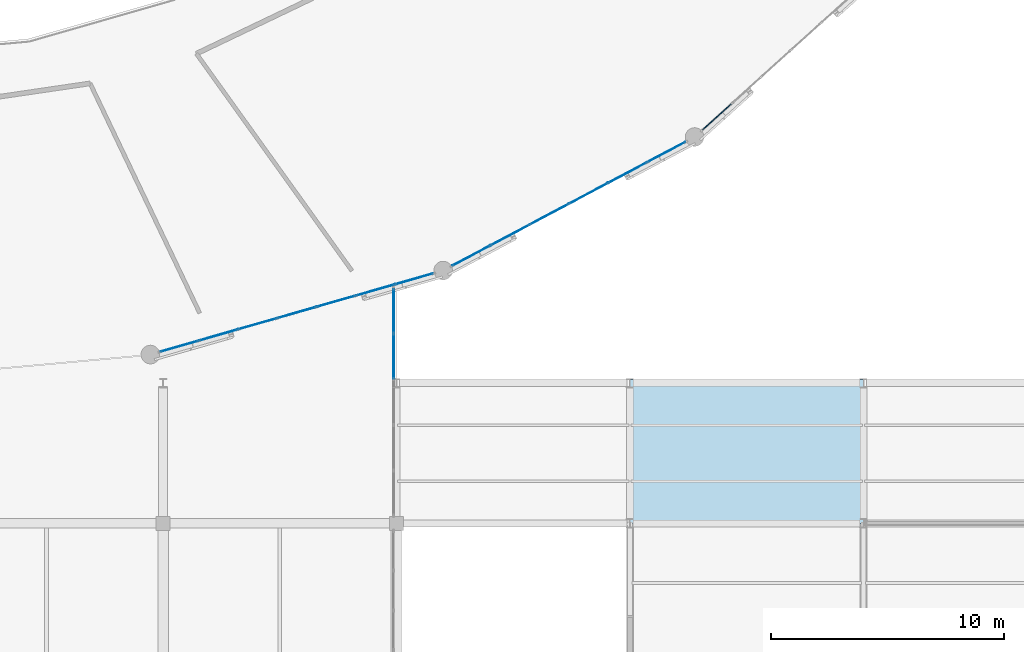
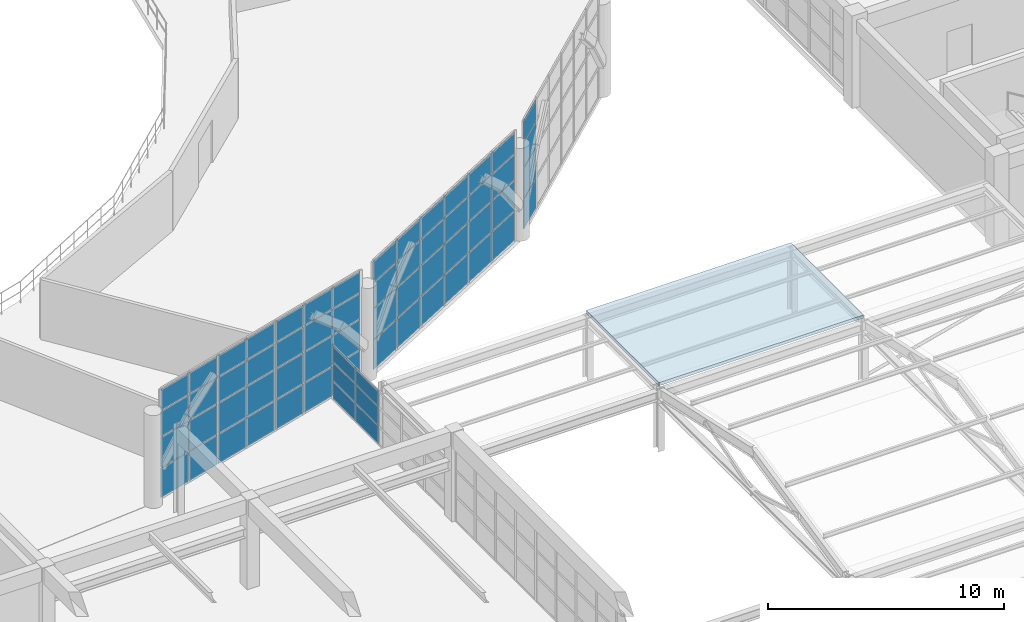
# One storey, part 65 of 109: 62 plates, 1 slab, 5 elements without a shape of their own.
"""IFC4 building model written with IfcOpenShell, lengths in metres."""

from ifc_helpers import new_model, si_unit, direction, frame, origin, origin_2d, place, context, subcontext, project, spatial, polyline, rectangle, outline, extrude, material, layer, layer_set, type_object, element, aggregate, save


model = new_model("IFC4")

# Units and contexts
model_context = context("Model", 3, precision=1e-05, world=origin(), true_north=direction((0.0, 1.0)))
body_context = subcontext(model_context, "Body", "Model", "MODEL_VIEW")
ifc_project = project(units=[si_unit("LENGTHUNIT", "METRE"), si_unit("AREAUNIT", "SQUARE_METRE"), si_unit("VOLUMEUNIT", "CUBIC_METRE"), si_unit("PLANEANGLEUNIT", "RADIAN"), si_unit("MASSUNIT", "GRAM", prefix="KILO")], contexts=[model_context])

# Site, building, storey
site_placement = place(None, origin())
site = spatial("IfcSite", under=ifc_project, at=site_placement, CompositionType="ELEMENT")
building_placement = place(site_placement, origin())
building = spatial("IfcBuilding", under=site, at=building_placement, Name="Kivolera Central Railway Station", CompositionType="ELEMENT")
storey_placement = place(building_placement, frame((0.0, 0.0, 9.60009765625)))
storey = spatial("IfcBuildingStorey", under=building, at=storey_placement, Name="L02", CompositionType="ELEMENT", Elevation=9.60009765625)

# Curtain wall, plates
ifc_material_1 = material(Name="Anodised aluminium", Category="aluminium")
ifc_layer_1 = layer(ifc_material_1, 0.179931640625, Name="Anodised aluminium")
ifc_layer_set_1 = layer_set([ifc_layer_1], Name="Anodised aluminium")
curtain_wall_type_1 = type_object("IfcCurtainWallType", Name="CW-SYS-11", PredefinedType="NOTDEFINED", material=ifc_layer_set_1)
curtain_wall_1_placement = place(storey_placement, origin())
curtain_wall_1 = element("IfcCurtainWall", 1, at=curtain_wall_1_placement, inside=storey, type_object=curtain_wall_type_1, Name="L02 Curtain Wall CW-L02-OVL-19", PredefinedType="NOTDEFINED")
ifc_material_2 = material(Name="Double low-E laminated glass", Category="glass")
ifc_layer_2 = layer(ifc_material_2, 0.030029296875, Name="Double low-E laminated glass")
ifc_layer_set_2 = layer_set([ifc_layer_2], Name="Double low-E laminated glass")
plate_type_1 = type_object("IfcPlateType", Name="CWP-GLZ-2", PredefinedType="CURTAIN_PANEL", material=ifc_layer_set_2)
plate_1_placement = place(storey_placement, frame((88.75732421875, 58.467041015625, 0.057861328125), z_axis=(0.0, 0.0, 1.0), x_axis=(-0.961246112288, -0.275691696668, 0.0)))
plate_1 = element("IfcPlate", 2, at=plate_1_placement, type_object=plate_type_1, Name="CW-11 panel 1.1", PredefinedType="CURTAIN_PANEL", context=body_context, shape_type="SweptSolid", body=[
    extrude(rectangle(XDim=1.66845703125, YDim=0.030029296875, at=origin_2d()), origin(), (0.0, 0.0, 1.0), 1.51904296875),
])
plate_2_placement = place(storey_placement, frame((88.75732421875, 58.467041015625, 1.623046875), z_axis=(0.0, 0.0, 1.0), x_axis=(-0.961246112288, -0.275691696668, 0.0)))
plate_2 = element("IfcPlate", 3, at=plate_2_placement, type_object=plate_type_1, Name="CW-11 panel 1.2", PredefinedType="CURTAIN_PANEL", context=body_context, shape_type="SweptSolid", body=[
    extrude(rectangle(XDim=1.66845703125, YDim=0.030029296875, at=origin_2d()), origin(), (0.0, 0.0, 1.0), 1.553955078125),
])
plate_3_placement = place(storey_placement, frame((88.75732421875, 58.467041015625, 3.22314453125), z_axis=(0.0, 0.0, 1.0), x_axis=(-0.961246112288, -0.275691696668, 0.0)))
plate_3 = element("IfcPlate", 4, at=plate_3_placement, type_object=plate_type_1, Name="CW-11 panel 1.3", PredefinedType="CURTAIN_PANEL", context=body_context, shape_type="SweptSolid", body=[
    extrude(rectangle(XDim=1.66845703125, YDim=0.030029296875, at=origin_2d()), origin(), (0.0, 0.0, 1.0), 1.303955078125),
])
plate_4_placement = place(storey_placement, frame((88.75732421875, 58.467041015625, 4.57275390625), z_axis=(0.0, 0.0, 1.0), x_axis=(-0.961246112288, -0.275691696668, 0.0)))
plate_4 = element("IfcPlate", 5, at=plate_4_placement, type_object=plate_type_1, Name="CW-11 panel 1.4", PredefinedType="CURTAIN_PANEL", context=body_context, shape_type="SweptSolid", body=[
    extrude(rectangle(XDim=1.66845703125, YDim=0.030029296875, at=origin_2d()), origin(), (0.0, 0.0, 1.0), 1.069091796875),
])
plate_5_placement = place(storey_placement, frame((87.092529296875, 57.989501953125, 0.057861328125), z_axis=(0.0, 0.0, 1.0), x_axis=(-0.961246112288, -0.275691696668, 0.0)))
plate_5 = element("IfcPlate", 6, at=plate_5_placement, type_object=plate_type_1, Name="CW-11 panel 2.1", PredefinedType="CURTAIN_PANEL", context=body_context, shape_type="SweptSolid", body=[
    extrude(rectangle(XDim=1.703369140625, YDim=0.030029296875, at=origin_2d()), origin(), (0.0, 0.0, 1.0), 1.51904296875),
])
plate_6_placement = place(storey_placement, frame((87.092529296875, 57.989501953125, 1.623046875), z_axis=(0.0, 0.0, 1.0), x_axis=(-0.961246112288, -0.275691696668, 0.0)))
plate_6 = element("IfcPlate", 7, at=plate_6_placement, type_object=plate_type_1, Name="CW-11 panel 2.2", PredefinedType="CURTAIN_PANEL", context=body_context, shape_type="SweptSolid", body=[
    extrude(rectangle(XDim=1.703369140625, YDim=0.030029296875, at=origin_2d()), origin(), (0.0, 0.0, 1.0), 1.553955078125),
])
plate_7_placement = place(storey_placement, frame((87.092529296875, 57.989501953125, 3.22314453125), z_axis=(0.0, 0.0, 1.0), x_axis=(-0.961246112288, -0.275691696668, 0.0)))
plate_7 = element("IfcPlate", 8, at=plate_7_placement, type_object=plate_type_1, Name="CW-11 panel 2.3", PredefinedType="CURTAIN_PANEL", context=body_context, shape_type="SweptSolid", body=[
    extrude(rectangle(XDim=1.703369140625, YDim=0.030029296875, at=origin_2d()), origin(), (0.0, 0.0, 1.0), 1.303955078125),
])
plate_8_placement = place(storey_placement, frame((87.092529296875, 57.989501953125, 4.57275390625), z_axis=(0.0, 0.0, 1.0), x_axis=(-0.961246112288, -0.275691696668, 0.0)))
plate_8 = element("IfcPlate", 9, at=plate_8_placement, type_object=plate_type_1, Name="CW-11 panel 2.4", PredefinedType="CURTAIN_PANEL", context=body_context, shape_type="SweptSolid", body=[
    extrude(rectangle(XDim=1.703369140625, YDim=0.030029296875, at=origin_2d()), origin(), (0.0, 0.0, 1.0), 1.069091796875),
])
plate_9_placement = place(storey_placement, frame((85.4111328125, 57.50732421875, 0.057861328125), z_axis=(0.0, 0.0, 1.0), x_axis=(-0.961246112288, -0.275691696668, 0.0)))
plate_9 = element("IfcPlate", 10, at=plate_9_placement, type_object=plate_type_1, Name="CW-11 panel 3.1", PredefinedType="CURTAIN_PANEL", context=body_context, shape_type="SweptSolid", body=[
    extrude(rectangle(XDim=1.703369140625, YDim=0.030029296875, at=origin_2d()), origin(), (0.0, 0.0, 1.0), 1.51904296875),
])
plate_10_placement = place(storey_placement, frame((85.4111328125, 57.50732421875, 1.623046875), z_axis=(0.0, 0.0, 1.0), x_axis=(-0.961246112288, -0.275691696668, 0.0)))
plate_10 = element("IfcPlate", 11, at=plate_10_placement, type_object=plate_type_1, Name="CW-11 panel 3.2", PredefinedType="CURTAIN_PANEL", context=body_context, shape_type="SweptSolid", body=[
    extrude(rectangle(XDim=1.703369140625, YDim=0.030029296875, at=origin_2d()), origin(), (0.0, 0.0, 1.0), 1.553955078125),
])
plate_11_placement = place(storey_placement, frame((85.4111328125, 57.50732421875, 3.22314453125), z_axis=(0.0, 0.0, 1.0), x_axis=(-0.961246112288, -0.275691696668, 0.0)))
plate_11 = element("IfcPlate", 12, at=plate_11_placement, type_object=plate_type_1, Name="CW-11 panel 3.3", PredefinedType="CURTAIN_PANEL", context=body_context, shape_type="SweptSolid", body=[
    extrude(rectangle(XDim=1.703369140625, YDim=0.030029296875, at=origin_2d()), origin(), (0.0, 0.0, 1.0), 1.303955078125),
])
plate_12_placement = place(storey_placement, frame((85.4111328125, 57.50732421875, 4.57275390625), z_axis=(0.0, 0.0, 1.0), x_axis=(-0.961246112288, -0.275691696668, 0.0)))
plate_12 = element("IfcPlate", 13, at=plate_12_placement, type_object=plate_type_1, Name="CW-11 panel 3.4", PredefinedType="CURTAIN_PANEL", context=body_context, shape_type="SweptSolid", body=[
    extrude(rectangle(XDim=1.703369140625, YDim=0.030029296875, at=origin_2d()), origin(), (0.0, 0.0, 1.0), 1.069091796875),
])
plate_13_placement = place(storey_placement, frame((83.7294921875, 57.02490234375, 0.057861328125), z_axis=(0.0, 0.0, 1.0), x_axis=(-0.961246112288, -0.275691696668, 0.0)))
plate_13 = element("IfcPlate", 14, at=plate_13_placement, type_object=plate_type_1, Name="CW-11 panel 4.1", PredefinedType="CURTAIN_PANEL", context=body_context, shape_type="SweptSolid", body=[
    extrude(rectangle(XDim=1.703369140625, YDim=0.030029296875, at=origin_2d()), origin(), (0.0, 0.0, 1.0), 1.51904296875),
])
plate_14_placement = place(storey_placement, frame((83.7294921875, 57.02490234375, 1.623046875), z_axis=(0.0, 0.0, 1.0), x_axis=(-0.961246112288, -0.275691696668, 0.0)))
plate_14 = element("IfcPlate", 15, at=plate_14_placement, type_object=plate_type_1, Name="CW-11 panel 4.2", PredefinedType="CURTAIN_PANEL", context=body_context, shape_type="SweptSolid", body=[
    extrude(rectangle(XDim=1.703369140625, YDim=0.030029296875, at=origin_2d()), origin(), (0.0, 0.0, 1.0), 1.553955078125),
])
plate_15_placement = place(storey_placement, frame((83.7294921875, 57.02490234375, 3.22314453125), z_axis=(0.0, 0.0, 1.0), x_axis=(-0.961246112288, -0.275691696668, 0.0)))
plate_15 = element("IfcPlate", 16, at=plate_15_placement, type_object=plate_type_1, Name="CW-11 panel 4.3", PredefinedType="CURTAIN_PANEL", context=body_context, shape_type="SweptSolid", body=[
    extrude(rectangle(XDim=1.703369140625, YDim=0.030029296875, at=origin_2d()), origin(), (0.0, 0.0, 1.0), 1.303955078125),
])
plate_16_placement = place(storey_placement, frame((83.7294921875, 57.02490234375, 4.57275390625), z_axis=(0.0, 0.0, 1.0), x_axis=(-0.961246112288, -0.275691696668, 0.0)))
plate_16 = element("IfcPlate", 17, at=plate_16_placement, type_object=plate_type_1, Name="CW-11 panel 4.4", PredefinedType="CURTAIN_PANEL", context=body_context, shape_type="SweptSolid", body=[
    extrude(rectangle(XDim=1.703369140625, YDim=0.030029296875, at=origin_2d()), origin(), (0.0, 0.0, 1.0), 1.069091796875),
])
plate_17_placement = place(storey_placement, frame((82.0478515625, 56.542724609375, 0.057861328125), z_axis=(0.0, 0.0, 1.0), x_axis=(-0.961246112288, -0.275691696668, 0.0)))
plate_17 = element("IfcPlate", 18, at=plate_17_placement, type_object=plate_type_1, Name="CW-11 panel 5.1", PredefinedType="CURTAIN_PANEL", context=body_context, shape_type="SweptSolid", body=[
    extrude(rectangle(XDim=1.703369140625, YDim=0.030029296875, at=origin_2d()), origin(), (0.0, 0.0, 1.0), 1.51904296875),
])
plate_18_placement = place(storey_placement, frame((82.0478515625, 56.542724609375, 1.623046875), z_axis=(0.0, 0.0, 1.0), x_axis=(-0.961246112288, -0.275691696668, 0.0)))
plate_18 = element("IfcPlate", 19, at=plate_18_placement, type_object=plate_type_1, Name="CW-11 panel 5.2", PredefinedType="CURTAIN_PANEL", context=body_context, shape_type="SweptSolid", body=[
    extrude(rectangle(XDim=1.703369140625, YDim=0.030029296875, at=origin_2d()), origin(), (0.0, 0.0, 1.0), 1.553955078125),
])
plate_19_placement = place(storey_placement, frame((82.0478515625, 56.542724609375, 3.22314453125), z_axis=(0.0, 0.0, 1.0), x_axis=(-0.961246112288, -0.275691696668, 0.0)))
plate_19 = element("IfcPlate", 20, at=plate_19_placement, type_object=plate_type_1, Name="CW-11 panel 5.3", PredefinedType="CURTAIN_PANEL", context=body_context, shape_type="SweptSolid", body=[
    extrude(rectangle(XDim=1.703369140625, YDim=0.030029296875, at=origin_2d()), origin(), (0.0, 0.0, 1.0), 1.303955078125),
])
plate_20_placement = place(storey_placement, frame((82.0478515625, 56.542724609375, 4.57275390625), z_axis=(0.0, 0.0, 1.0), x_axis=(-0.961246112288, -0.275691696668, 0.0)))
plate_20 = element("IfcPlate", 21, at=plate_20_placement, type_object=plate_type_1, Name="CW-11 panel 5.4", PredefinedType="CURTAIN_PANEL", context=body_context, shape_type="SweptSolid", body=[
    extrude(rectangle(XDim=1.703369140625, YDim=0.030029296875, at=origin_2d()), origin(), (0.0, 0.0, 1.0), 1.069091796875),
])
plate_21_placement = place(storey_placement, frame((80.366455078125, 56.060546875, 0.057861328125), z_axis=(0.0, 0.0, 1.0), x_axis=(-0.961246112288, -0.275691696668, 0.0)))
plate_21 = element("IfcPlate", 22, at=plate_21_placement, type_object=plate_type_1, Name="CW-11 panel 6.1", PredefinedType="CURTAIN_PANEL", context=body_context, shape_type="SweptSolid", body=[
    extrude(rectangle(XDim=1.703369140625, YDim=0.030029296875, at=origin_2d()), origin(), (0.0, 0.0, 1.0), 1.51904296875),
])
plate_22_placement = place(storey_placement, frame((80.366455078125, 56.060546875, 1.623046875), z_axis=(0.0, 0.0, 1.0), x_axis=(-0.961246112288, -0.275691696668, 0.0)))
plate_22 = element("IfcPlate", 23, at=plate_22_placement, type_object=plate_type_1, Name="CW-11 panel 6.2", PredefinedType="CURTAIN_PANEL", context=body_context, shape_type="SweptSolid", body=[
    extrude(rectangle(XDim=1.703369140625, YDim=0.030029296875, at=origin_2d()), origin(), (0.0, 0.0, 1.0), 1.553955078125),
])
plate_23_placement = place(storey_placement, frame((80.366455078125, 56.060546875, 3.22314453125), z_axis=(0.0, 0.0, 1.0), x_axis=(-0.961246112288, -0.275691696668, 0.0)))
plate_23 = element("IfcPlate", 24, at=plate_23_placement, type_object=plate_type_1, Name="CW-11 panel 6.3", PredefinedType="CURTAIN_PANEL", context=body_context, shape_type="SweptSolid", body=[
    extrude(rectangle(XDim=1.703369140625, YDim=0.030029296875, at=origin_2d()), origin(), (0.0, 0.0, 1.0), 1.303955078125),
])
plate_24_placement = place(storey_placement, frame((80.366455078125, 56.060546875, 4.57275390625), z_axis=(0.0, 0.0, 1.0), x_axis=(-0.961246112288, -0.275691696668, 0.0)))
plate_24 = element("IfcPlate", 25, at=plate_24_placement, type_object=plate_type_1, Name="CW-11 panel 6.4", PredefinedType="CURTAIN_PANEL", context=body_context, shape_type="SweptSolid", body=[
    extrude(rectangle(XDim=1.703369140625, YDim=0.030029296875, at=origin_2d()), origin(), (0.0, 0.0, 1.0), 1.069091796875),
])
plate_25_placement = place(storey_placement, frame((78.70166015625, 55.5830078125, 0.057861328125), z_axis=(0.0, 0.0, 1.0), x_axis=(-0.961246112288, -0.275691696668, 0.0)))
plate_25 = element("IfcPlate", 26, at=plate_25_placement, type_object=plate_type_1, Name="CW-11 panel 7.1", PredefinedType="CURTAIN_PANEL", context=body_context, shape_type="SweptSolid", body=[
    extrude(rectangle(XDim=1.66845703125, YDim=0.030029296875, at=origin_2d()), origin(), (0.0, 0.0, 1.0), 1.51904296875),
])
plate_26_placement = place(storey_placement, frame((78.70166015625, 55.5830078125, 1.623046875), z_axis=(0.0, 0.0, 1.0), x_axis=(-0.961246112288, -0.275691696668, 0.0)))
plate_26 = element("IfcPlate", 27, at=plate_26_placement, type_object=plate_type_1, Name="CW-11 panel 7.2", PredefinedType="CURTAIN_PANEL", context=body_context, shape_type="SweptSolid", body=[
    extrude(rectangle(XDim=1.66845703125, YDim=0.030029296875, at=origin_2d()), origin(), (0.0, 0.0, 1.0), 1.553955078125),
])
plate_27_placement = place(storey_placement, frame((78.70166015625, 55.5830078125, 3.22314453125), z_axis=(0.0, 0.0, 1.0), x_axis=(-0.961246112288, -0.275691696668, 0.0)))
plate_27 = element("IfcPlate", 28, at=plate_27_placement, type_object=plate_type_1, Name="CW-11 panel 7.3", PredefinedType="CURTAIN_PANEL", context=body_context, shape_type="SweptSolid", body=[
    extrude(rectangle(XDim=1.66845703125, YDim=0.030029296875, at=origin_2d()), origin(), (0.0, 0.0, 1.0), 1.303955078125),
])
plate_28_placement = place(storey_placement, frame((78.70166015625, 55.5830078125, 4.57275390625), z_axis=(0.0, 0.0, 1.0), x_axis=(-0.961246112288, -0.275691696668, 0.0)))
plate_28 = element("IfcPlate", 29, at=plate_28_placement, type_object=plate_type_1, Name="CW-11 panel 7.4", PredefinedType="CURTAIN_PANEL", context=body_context, shape_type="SweptSolid", body=[
    extrude(rectangle(XDim=1.66845703125, YDim=0.030029296875, at=origin_2d()), origin(), (0.0, 0.0, 1.0), 1.069091796875),
])
aggregate(curtain_wall_1, [plate_1, plate_2, plate_3, plate_4, plate_5, plate_6, plate_7, plate_8, plate_9, plate_10, plate_11, plate_12, plate_13, plate_14, plate_15, plate_16, plate_17, plate_18, plate_19, plate_20, plate_21, plate_22, plate_23, plate_24, plate_25, plate_26, plate_27, plate_28])

ifc_layer_3 = layer(ifc_material_1, 0.179931640625, Name="Anodised aluminium")
ifc_layer_set_3 = layer_set([ifc_layer_3], Name="Anodised aluminium")
curtain_wall_type_2 = type_object("IfcCurtainWallType", Name="CW-SYS-20", PredefinedType="NOTDEFINED", material=ifc_layer_set_3)
curtain_wall_2_placement = place(storey_placement, origin())
curtain_wall_2 = element("IfcCurtainWall", 30, at=curtain_wall_2_placement, inside=storey, type_object=curtain_wall_type_2, Name="L02 Curtain Wall CW-L02-BRGE-4", PredefinedType="NOTDEFINED")
plate_29_placement = place(storey_placement, frame((87.8798828125, 57.087890625, 0.0478515625), z_axis=(0.0, 0.0, 1.0), x_axis=(0.0, -1.0, 0.0)))
plate_29 = element("IfcPlate", 31, at=plate_29_placement, type_object=plate_type_1, Name="CW-20 panel 1.1", PredefinedType="CURTAIN_PANEL", context=body_context, shape_type="SweptSolid", body=[
    extrude(rectangle(XDim=1.887939453125, YDim=0.030029296875, at=origin_2d()), origin(), (0.0, 0.0, 1.0), 0.9208984375),
])
plate_30_placement = place(storey_placement, frame((87.8798828125, 57.087890625, 1.0048828125), z_axis=(0.0, 0.0, 1.0), x_axis=(0.0, -1.0, 0.0)))
plate_30 = element("IfcPlate", 32, at=plate_30_placement, type_object=plate_type_1, Name="CW-20 panel 1.2", PredefinedType="CURTAIN_PANEL", context=body_context, shape_type="SweptSolid", body=[
    extrude(rectangle(XDim=1.887939453125, YDim=0.030029296875, at=origin_2d()), origin(), (0.0, 0.0, 1.0), 0.950927734375),
])
plate_31_placement = place(storey_placement, frame((87.8798828125, 57.087890625, 1.99169921875), z_axis=(0.0, 0.0, 1.0), x_axis=(0.0, -1.0, 0.0)))
plate_31 = element("IfcPlate", 33, at=plate_31_placement, type_object=plate_type_1, Name="CW-20 panel 1.3", PredefinedType="CURTAIN_PANEL", context=body_context, shape_type="SweptSolid", body=[
    extrude(rectangle(XDim=1.887939453125, YDim=0.030029296875, at=origin_2d()), origin(), (0.0, 0.0, 1.0), 0.780029296875),
])
plate_32_placement = place(storey_placement, frame((87.8798828125, 55.14892578125, 0.0478515625), z_axis=(0.0, 0.0, 1.0), x_axis=(0.0, -1.0, 0.0)))
plate_32 = element("IfcPlate", 34, at=plate_32_placement, type_object=plate_type_1, Name="CW-20 panel 2.1", PredefinedType="CURTAIN_PANEL", context=body_context, shape_type="SweptSolid", body=[
    extrude(rectangle(XDim=1.91796875, YDim=0.030029296875, at=origin_2d()), origin(), (0.0, 0.0, 1.0), 0.9208984375),
])
plate_33_placement = place(storey_placement, frame((87.8798828125, 55.14892578125, 1.0048828125), z_axis=(0.0, 0.0, 1.0), x_axis=(0.0, -1.0, 0.0)))
plate_33 = element("IfcPlate", 35, at=plate_33_placement, type_object=plate_type_1, Name="CW-20 panel 2.2", PredefinedType="CURTAIN_PANEL", context=body_context, shape_type="SweptSolid", body=[
    extrude(rectangle(XDim=1.91796875, YDim=0.030029296875, at=origin_2d()), origin(), (0.0, 0.0, 1.0), 0.950927734375),
])
plate_34_placement = place(storey_placement, frame((87.8798828125, 55.14892578125, 1.99169921875), z_axis=(0.0, 0.0, 1.0), x_axis=(0.0, -1.0, 0.0)))
plate_34 = element("IfcPlate", 36, at=plate_34_placement, type_object=plate_type_1, Name="CW-20 panel 2.3", PredefinedType="CURTAIN_PANEL", context=body_context, shape_type="SweptSolid", body=[
    extrude(rectangle(XDim=1.91796875, YDim=0.030029296875, at=origin_2d()), origin(), (0.0, 0.0, 1.0), 0.780029296875),
])
aggregate(curtain_wall_2, [plate_29, plate_30, plate_31, plate_32, plate_33, plate_34])

ifc_layer_4 = layer(ifc_material_1, 0.179931640625, Name="Anodised aluminium")
ifc_layer_set_4 = layer_set([ifc_layer_4], Name="Anodised aluminium")
curtain_wall_type_3 = type_object("IfcCurtainWallType", Name="CW-SYS-09", PredefinedType="NOTDEFINED", material=ifc_layer_set_4)
curtain_wall_3_placement = place(storey_placement, origin())
curtain_wall_3 = element("IfcCurtainWall", 37, at=curtain_wall_3_placement, inside=storey, type_object=curtain_wall_type_3, Name="L02 Curtain Wall CW-L02-OVL-20", PredefinedType="NOTDEFINED")
ifc_layer_5 = layer(ifc_material_2, 0.033935546875, Name="Double low-E laminated glass")
ifc_layer_set_5 = layer_set([ifc_layer_5], Name="Double low-E laminated glass")
plate_type_2 = type_object("IfcPlateType", Name="CWP-GLZ-3", PredefinedType="CURTAIN_PANEL", material=ifc_layer_set_5)
plate_35_placement = place(storey_placement, frame((99.56298828125, 63.90234375, 0.057861328125), z_axis=(0.0, 0.0, 1.0), x_axis=(-0.883170250772, -0.46905256438, 0.0)))
plate_35 = element("IfcPlate", 38, at=plate_35_placement, type_object=plate_type_2, Name="CW-09 panel 1.1", PredefinedType="CURTAIN_PANEL", context=body_context, shape_type="SweptSolid", body=[
    extrude(rectangle(XDim=1.818115234375, YDim=0.033935546875, at=origin_2d()), origin(), (0.0, 0.0, 1.0), 1.51904296875),
])
plate_36_placement = place(storey_placement, frame((99.56298828125, 63.90234375, 1.623046875), z_axis=(0.0, 0.0, 1.0), x_axis=(-0.883170250772, -0.46905256438, 0.0)))
plate_36 = element("IfcPlate", 39, at=plate_36_placement, type_object=plate_type_2, Name="CW-09 panel 1.2", PredefinedType="CURTAIN_PANEL", context=body_context, shape_type="SweptSolid", body=[
    extrude(rectangle(XDim=1.818115234375, YDim=0.033935546875, at=origin_2d()), origin(), (0.0, 0.0, 1.0), 1.553955078125),
])
plate_37_placement = place(storey_placement, frame((99.56298828125, 63.90234375, 3.22314453125), z_axis=(0.0, 0.0, 1.0), x_axis=(-0.883170250772, -0.46905256438, 0.0)))
plate_37 = element("IfcPlate", 40, at=plate_37_placement, type_object=plate_type_2, Name="CW-09 panel 1.3", PredefinedType="CURTAIN_PANEL", context=body_context, shape_type="SweptSolid", body=[
    extrude(rectangle(XDim=1.818115234375, YDim=0.033935546875, at=origin_2d()), origin(), (0.0, 0.0, 1.0), 1.303955078125),
])
plate_38_placement = place(storey_placement, frame((99.56298828125, 63.90234375, 4.57275390625), z_axis=(0.0, 0.0, 1.0), x_axis=(-0.883170250772, -0.46905256438, 0.0)))
plate_38 = element("IfcPlate", 41, at=plate_38_placement, type_object=plate_type_2, Name="CW-09 panel 1.4", PredefinedType="CURTAIN_PANEL", context=body_context, shape_type="SweptSolid", body=[
    extrude(rectangle(XDim=1.818115234375, YDim=0.033935546875, at=origin_2d()), origin(), (0.0, 0.0, 1.0), 1.069091796875),
])
plate_39_placement = place(storey_placement, frame((97.90087890625, 63.019775390625, 0.057861328125), z_axis=(0.0, 0.0, 1.0), x_axis=(-0.883170250772, -0.46905256438, 0.0)))
plate_39 = element("IfcPlate", 42, at=plate_39_placement, type_object=plate_type_2, Name="CW-09 panel 2.1", PredefinedType="CURTAIN_PANEL", context=body_context, shape_type="SweptSolid", body=[
    extrude(rectangle(XDim=1.853271484375, YDim=0.033935546875, at=origin_2d()), origin(), (0.0, 0.0, 1.0), 1.51904296875),
])
plate_40_placement = place(storey_placement, frame((97.90087890625, 63.019775390625, 1.623046875), z_axis=(0.0, 0.0, 1.0), x_axis=(-0.883170250772, -0.46905256438, 0.0)))
plate_40 = element("IfcPlate", 43, at=plate_40_placement, type_object=plate_type_2, Name="CW-09 panel 2.2", PredefinedType="CURTAIN_PANEL", context=body_context, shape_type="SweptSolid", body=[
    extrude(rectangle(XDim=1.853271484375, YDim=0.033935546875, at=origin_2d()), origin(), (0.0, 0.0, 1.0), 1.553955078125),
])
plate_41_placement = place(storey_placement, frame((97.90087890625, 63.019775390625, 3.22314453125), z_axis=(0.0, 0.0, 1.0), x_axis=(-0.883170250772, -0.46905256438, 0.0)))
plate_41 = element("IfcPlate", 44, at=plate_41_placement, type_object=plate_type_2, Name="CW-09 panel 2.3", PredefinedType="CURTAIN_PANEL", context=body_context, shape_type="SweptSolid", body=[
    extrude(rectangle(XDim=1.853271484375, YDim=0.033935546875, at=origin_2d()), origin(), (0.0, 0.0, 1.0), 1.303955078125),
])
plate_42_placement = place(storey_placement, frame((97.90087890625, 63.019775390625, 4.57275390625), z_axis=(0.0, 0.0, 1.0), x_axis=(-0.883170250772, -0.46905256438, 0.0)))
plate_42 = element("IfcPlate", 45, at=plate_42_placement, type_object=plate_type_2, Name="CW-09 panel 2.4", PredefinedType="CURTAIN_PANEL", context=body_context, shape_type="SweptSolid", body=[
    extrude(rectangle(XDim=1.853271484375, YDim=0.033935546875, at=origin_2d()), origin(), (0.0, 0.0, 1.0), 1.069091796875),
])
plate_43_placement = place(storey_placement, frame((96.2236328125, 62.12890625, 0.057861328125), z_axis=(0.0, 0.0, 1.0), x_axis=(-0.883170250772, -0.46905256438, 0.0)))
plate_43 = element("IfcPlate", 46, at=plate_43_placement, type_object=plate_type_2, Name="CW-09 panel 3.1", PredefinedType="CURTAIN_PANEL", context=body_context, shape_type="SweptSolid", body=[
    extrude(rectangle(XDim=1.853271484375, YDim=0.033935546875, at=origin_2d()), origin(), (0.0, 0.0, 1.0), 1.51904296875),
])
plate_44_placement = place(storey_placement, frame((96.2236328125, 62.12890625, 1.623046875), z_axis=(0.0, 0.0, 1.0), x_axis=(-0.883170250772, -0.46905256438, 0.0)))
plate_44 = element("IfcPlate", 47, at=plate_44_placement, type_object=plate_type_2, Name="CW-09 panel 3.2", PredefinedType="CURTAIN_PANEL", context=body_context, shape_type="SweptSolid", body=[
    extrude(rectangle(XDim=1.853271484375, YDim=0.033935546875, at=origin_2d()), origin(), (0.0, 0.0, 1.0), 1.553955078125),
])
plate_45_placement = place(storey_placement, frame((96.2236328125, 62.12890625, 3.22314453125), z_axis=(0.0, 0.0, 1.0), x_axis=(-0.883170250772, -0.46905256438, 0.0)))
plate_45 = element("IfcPlate", 48, at=plate_45_placement, type_object=plate_type_2, Name="CW-09 panel 3.3", PredefinedType="CURTAIN_PANEL", context=body_context, shape_type="SweptSolid", body=[
    extrude(rectangle(XDim=1.853271484375, YDim=0.033935546875, at=origin_2d()), origin(), (0.0, 0.0, 1.0), 1.303955078125),
])
plate_46_placement = place(storey_placement, frame((96.2236328125, 62.12890625, 4.57275390625), z_axis=(0.0, 0.0, 1.0), x_axis=(-0.883170250772, -0.46905256438, 0.0)))
plate_46 = element("IfcPlate", 49, at=plate_46_placement, type_object=plate_type_2, Name="CW-09 panel 3.4", PredefinedType="CURTAIN_PANEL", context=body_context, shape_type="SweptSolid", body=[
    extrude(rectangle(XDim=1.853271484375, YDim=0.033935546875, at=origin_2d()), origin(), (0.0, 0.0, 1.0), 1.069091796875),
])
plate_47_placement = place(storey_placement, frame((94.54638671875, 61.238037109375, 0.057861328125), z_axis=(0.0, 0.0, 1.0), x_axis=(-0.883170250772, -0.46905256438, 0.0)))
plate_47 = element("IfcPlate", 50, at=plate_47_placement, type_object=plate_type_2, Name="CW-09 panel 4.1", PredefinedType="CURTAIN_PANEL", context=body_context, shape_type="SweptSolid", body=[
    extrude(rectangle(XDim=1.853271484375, YDim=0.033935546875, at=origin_2d()), origin(), (0.0, 0.0, 1.0), 1.51904296875),
])
plate_48_placement = place(storey_placement, frame((94.54638671875, 61.238037109375, 1.623046875), z_axis=(0.0, 0.0, 1.0), x_axis=(-0.883170250772, -0.46905256438, 0.0)))
plate_48 = element("IfcPlate", 51, at=plate_48_placement, type_object=plate_type_2, Name="CW-09 panel 4.2", PredefinedType="CURTAIN_PANEL", context=body_context, shape_type="SweptSolid", body=[
    extrude(rectangle(XDim=1.853271484375, YDim=0.033935546875, at=origin_2d()), origin(), (0.0, 0.0, 1.0), 1.553955078125),
])
plate_49_placement = place(storey_placement, frame((94.54638671875, 61.238037109375, 3.22314453125), z_axis=(0.0, 0.0, 1.0), x_axis=(-0.883170250772, -0.46905256438, 0.0)))
plate_49 = element("IfcPlate", 52, at=plate_49_placement, type_object=plate_type_2, Name="CW-09 panel 4.3", PredefinedType="CURTAIN_PANEL", context=body_context, shape_type="SweptSolid", body=[
    extrude(rectangle(XDim=1.853271484375, YDim=0.033935546875, at=origin_2d()), origin(), (0.0, 0.0, 1.0), 1.303955078125),
])
plate_50_placement = place(storey_placement, frame((94.54638671875, 61.238037109375, 4.57275390625), z_axis=(0.0, 0.0, 1.0), x_axis=(-0.883170250772, -0.46905256438, 0.0)))
plate_50 = element("IfcPlate", 53, at=plate_50_placement, type_object=plate_type_2, Name="CW-09 panel 4.4", PredefinedType="CURTAIN_PANEL", context=body_context, shape_type="SweptSolid", body=[
    extrude(rectangle(XDim=1.853271484375, YDim=0.033935546875, at=origin_2d()), origin(), (0.0, 0.0, 1.0), 1.069091796875),
])
plate_51_placement = place(storey_placement, frame((92.868896484375, 60.34716796875, 0.057861328125), z_axis=(0.0, 0.0, 1.0), x_axis=(-0.883170250772, -0.46905256438, 0.0)))
plate_51 = element("IfcPlate", 54, at=plate_51_placement, type_object=plate_type_2, Name="CW-09 panel 5.1", PredefinedType="CURTAIN_PANEL", context=body_context, shape_type="SweptSolid", body=[
    extrude(rectangle(XDim=1.853271484375, YDim=0.033935546875, at=origin_2d()), origin(), (0.0, 0.0, 1.0), 1.51904296875),
])
plate_52_placement = place(storey_placement, frame((92.868896484375, 60.34716796875, 1.623046875), z_axis=(0.0, 0.0, 1.0), x_axis=(-0.883170250772, -0.46905256438, 0.0)))
plate_52 = element("IfcPlate", 55, at=plate_52_placement, type_object=plate_type_2, Name="CW-09 panel 5.2", PredefinedType="CURTAIN_PANEL", context=body_context, shape_type="SweptSolid", body=[
    extrude(rectangle(XDim=1.853271484375, YDim=0.033935546875, at=origin_2d()), origin(), (0.0, 0.0, 1.0), 1.553955078125),
])
plate_53_placement = place(storey_placement, frame((92.868896484375, 60.34716796875, 3.22314453125), z_axis=(0.0, 0.0, 1.0), x_axis=(-0.883170250772, -0.46905256438, 0.0)))
plate_53 = element("IfcPlate", 56, at=plate_53_placement, type_object=plate_type_2, Name="CW-09 panel 5.3", PredefinedType="CURTAIN_PANEL", context=body_context, shape_type="SweptSolid", body=[
    extrude(rectangle(XDim=1.853271484375, YDim=0.033935546875, at=origin_2d()), origin(), (0.0, 0.0, 1.0), 1.303955078125),
])
plate_54_placement = place(storey_placement, frame((92.868896484375, 60.34716796875, 4.57275390625), z_axis=(0.0, 0.0, 1.0), x_axis=(-0.883170250772, -0.46905256438, 0.0)))
plate_54 = element("IfcPlate", 57, at=plate_54_placement, type_object=plate_type_2, Name="CW-09 panel 5.4", PredefinedType="CURTAIN_PANEL", context=body_context, shape_type="SweptSolid", body=[
    extrude(rectangle(XDim=1.853271484375, YDim=0.033935546875, at=origin_2d()), origin(), (0.0, 0.0, 1.0), 1.069091796875),
])
plate_55_placement = place(storey_placement, frame((91.20703125, 59.464599609375, 0.057861328125), z_axis=(0.0, 0.0, 1.0), x_axis=(-0.883170250772, -0.46905256438, 0.0)))
plate_55 = element("IfcPlate", 58, at=plate_55_placement, type_object=plate_type_2, Name="CW-09 panel 6.1", PredefinedType="CURTAIN_PANEL", context=body_context, shape_type="SweptSolid", body=[
    extrude(rectangle(XDim=1.818115234375, YDim=0.033935546875, at=origin_2d()), origin(), (0.0, 0.0, 1.0), 1.51904296875),
])
plate_56_placement = place(storey_placement, frame((91.20703125, 59.464599609375, 1.623046875), z_axis=(0.0, 0.0, 1.0), x_axis=(-0.883170250772, -0.46905256438, 0.0)))
plate_56 = element("IfcPlate", 59, at=plate_56_placement, type_object=plate_type_2, Name="CW-09 panel 6.2", PredefinedType="CURTAIN_PANEL", context=body_context, shape_type="SweptSolid", body=[
    extrude(rectangle(XDim=1.818115234375, YDim=0.033935546875, at=origin_2d()), origin(), (0.0, 0.0, 1.0), 1.553955078125),
])
plate_57_placement = place(storey_placement, frame((91.20703125, 59.464599609375, 3.22314453125), z_axis=(0.0, 0.0, 1.0), x_axis=(-0.883170250772, -0.46905256438, 0.0)))
plate_57 = element("IfcPlate", 60, at=plate_57_placement, type_object=plate_type_2, Name="CW-09 panel 6.3", PredefinedType="CURTAIN_PANEL", context=body_context, shape_type="SweptSolid", body=[
    extrude(rectangle(XDim=1.818115234375, YDim=0.033935546875, at=origin_2d()), origin(), (0.0, 0.0, 1.0), 1.303955078125),
])
plate_58_placement = place(storey_placement, frame((91.20703125, 59.464599609375, 4.57275390625), z_axis=(0.0, 0.0, 1.0), x_axis=(-0.883170250772, -0.46905256438, 0.0)))
plate_58 = element("IfcPlate", 61, at=plate_58_placement, type_object=plate_type_2, Name="CW-09 panel 6.4", PredefinedType="CURTAIN_PANEL", context=body_context, shape_type="SweptSolid", body=[
    extrude(rectangle(XDim=1.818115234375, YDim=0.033935546875, at=origin_2d()), origin(), (0.0, 0.0, 1.0), 1.069091796875),
])
aggregate(curtain_wall_3, [plate_35, plate_36, plate_37, plate_38, plate_39, plate_40, plate_41, plate_42, plate_43, plate_44, plate_45, plate_46, plate_47, plate_48, plate_49, plate_50, plate_51, plate_52, plate_53, plate_54, plate_55, plate_56, plate_57, plate_58])

ifc_layer_6 = layer(ifc_material_1, 0.179931640625, Name="Anodised aluminium")
ifc_layer_set_6 = layer_set([ifc_layer_6], Name="Anodised aluminium")
curtain_wall_type_4 = type_object("IfcCurtainWallType", Name="CW-SYS-06", PredefinedType="NOTDEFINED", material=ifc_layer_set_6)
curtain_wall_4_placement = place(storey_placement, origin())
curtain_wall_4 = element("IfcCurtainWall", 62, at=curtain_wall_4_placement, inside=storey, type_object=curtain_wall_type_4, Name="L02 Curtain Wall CW-L02-OVL-21", PredefinedType="NOTDEFINED")
ifc_layer_7 = layer(ifc_material_2, 0.0380859375, Name="Double low-E laminated glass")
ifc_layer_set_7 = layer_set([ifc_layer_7], Name="Double low-E laminated glass")
plate_type_3 = type_object("IfcPlateType", Name="CWP-GLZ-4", PredefinedType="CURTAIN_PANEL", material=ifc_layer_set_7)
plate_59_placement = place(storey_placement, frame((101.718994140625, 65.400390625, 0.057861328125), z_axis=(0.0, 0.0, 1.0), x_axis=(-0.742431873669, -0.669921572246, 0.0)))
plate_59 = element("IfcPlate", 63, at=plate_59_placement, type_object=plate_type_3, Name="CW-06 panel 6.1", PredefinedType="CURTAIN_PANEL", context=body_context, shape_type="SweptSolid", body=[
    extrude(rectangle(XDim=1.640625, YDim=0.0380859375, at=origin_2d()), origin(), (0.0, 0.0, 1.0), 1.51904296875),
])
plate_60_placement = place(storey_placement, frame((101.718994140625, 65.400390625, 1.623046875), z_axis=(0.0, 0.0, 1.0), x_axis=(-0.742431873669, -0.669921572246, 0.0)))
plate_60 = element("IfcPlate", 64, at=plate_60_placement, type_object=plate_type_3, Name="CW-06 panel 6.2", PredefinedType="CURTAIN_PANEL", context=body_context, shape_type="SweptSolid", body=[
    extrude(rectangle(XDim=1.640625, YDim=0.0380859375, at=origin_2d()), origin(), (0.0, 0.0, 1.0), 1.553955078125),
])
plate_61_placement = place(storey_placement, frame((101.718994140625, 65.400390625, 3.22314453125), z_axis=(0.0, 0.0, 1.0), x_axis=(-0.742431873669, -0.669921572246, 0.0)))
plate_61 = element("IfcPlate", 65, at=plate_61_placement, type_object=plate_type_3, Name="CW-06 panel 6.3", PredefinedType="CURTAIN_PANEL", context=body_context, shape_type="SweptSolid", body=[
    extrude(rectangle(XDim=1.640625, YDim=0.0380859375, at=origin_2d()), origin(), (0.0, 0.0, 1.0), 1.303955078125),
])
plate_62_placement = place(storey_placement, frame((101.718994140625, 65.400390625, 4.57275390625), z_axis=(0.0, 0.0, 1.0), x_axis=(-0.742431873669, -0.669921572246, 0.0)))
plate_62 = element("IfcPlate", 66, at=plate_62_placement, type_object=plate_type_3, Name="CW-06 panel 6.4", PredefinedType="CURTAIN_PANEL", context=body_context, shape_type="SweptSolid", body=[
    extrude(rectangle(XDim=1.640625, YDim=0.0380859375, at=origin_2d()), origin(), (0.0, 0.0, 1.0), 1.069091796875),
])
aggregate(curtain_wall_4, [plate_59, plate_60, plate_61, plate_62])

# Roof, slab
ifc_material_3 = material(Name="Steel S355", Category="steel")
roof_type = type_object("IfcRoofType", Name="ROOF-SYS-1", PredefinedType="GABLE_ROOF", material=ifc_material_3)
roof_placement = place(storey_placement, origin())
roof = element("IfcRoof", 67, at=roof_placement, inside=storey, type_object=roof_type, Name="Southern Through-Platform Dual-Pitch Steel Train-Shed Roof", PredefinedType="GABLE_ROOF")
ifc_material_4 = material(Name="Precast concrete C40/50", Category="concrete")
ifc_layer_8 = layer(ifc_material_4, 0.159912109375, Name="Precast concrete C40/50")
ifc_layer_set_8 = layer_set([ifc_layer_8], Name="Precast concrete C40/50")
slab_type = type_object("IfcSlabType", Name="SLB-SHED-160", PredefinedType="ROOF", material=ifc_layer_set_8)
slab_placement = place(storey_placement, frame((98.0, 48.0, 3.411865234375), z_axis=(0.0, -0.002262796906, 0.999997439872), x_axis=(1.0, 0.0, 0.0)))
slab = element("IfcSlab", 68, at=slab_placement, type_object=slab_type, Name="Train Shed Threshold Canopy Roof Panel DE-10", PredefinedType="ROOF", context=body_context, shape_type="SweptSolid", body=[
    extrude(outline(polyline([(0.0, 0.0), (10.0, 0.0), (10.0, 6.1499180883287075), (0.0, 6.1499180883287075), (0.0, 0.0)])), origin(), (0.0, 0.0, -1.0), 0.159912109375),
])
aggregate(roof, [slab])

save(model, "model.ifc")
